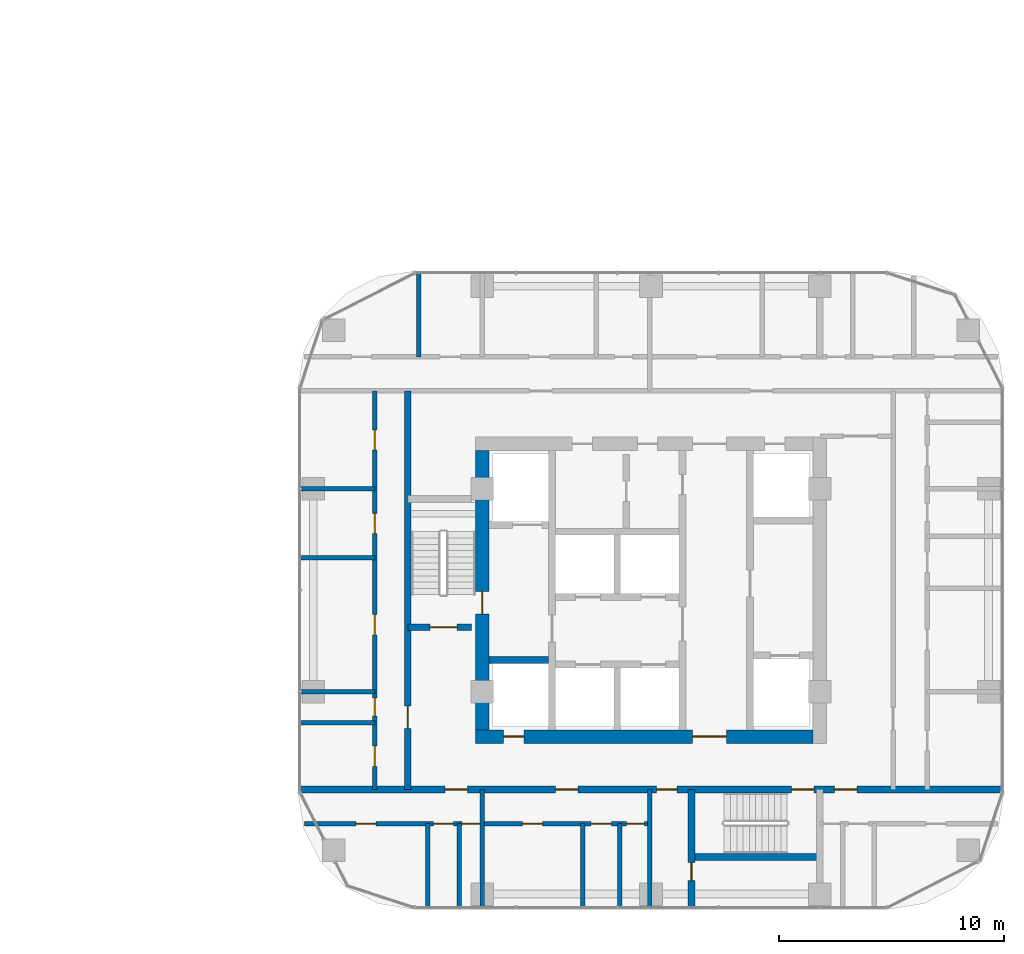
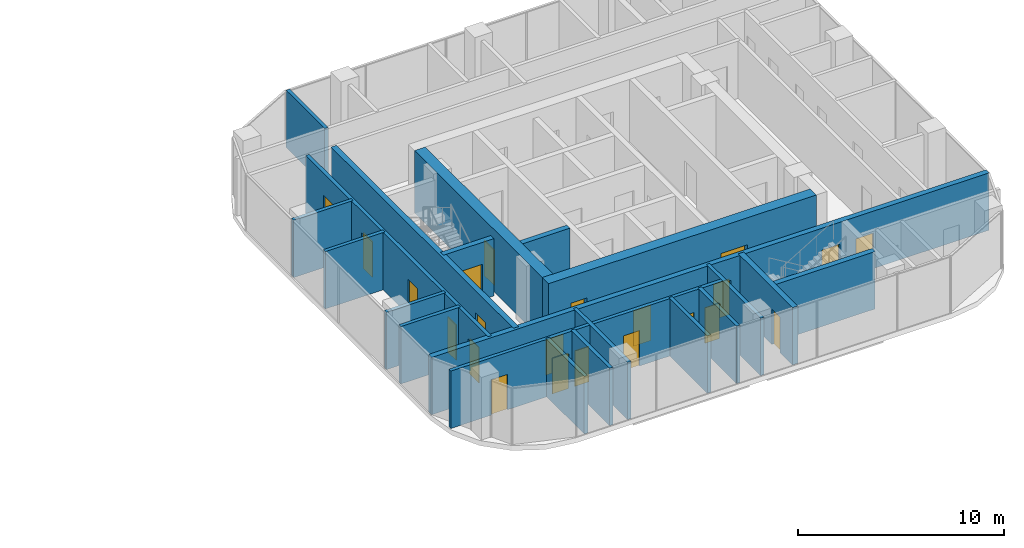
# One storey, part 21 of 31: 22 doors, 21 walls, 22 openings.
"""IFC4 building model written with IfcOpenShell, lengths in metres."""

from ifc_helpers import new_model, si_unit, direction, frame, frame_2d, origin, place, context, subcontext, project, spatial, rectangle, extrude, material, layer, layer_set, type_object, element, fill, save


model = new_model("IFC4")

# Units and contexts
model_context = context("Model", 3, precision=1e-05, world=origin(), true_north=direction((0.0, 1.0)))
body_context = subcontext(model_context, "Body", "Model", "MODEL_VIEW")
ifc_project = project(units=[si_unit("LENGTHUNIT", "METRE"), si_unit("AREAUNIT", "SQUARE_METRE"), si_unit("VOLUMEUNIT", "CUBIC_METRE"), si_unit("PLANEANGLEUNIT", "RADIAN"), si_unit("MASSUNIT", "GRAM", prefix="KILO")], contexts=[model_context])

# Site, building, storey
site_placement = place(None, origin())
site = spatial("IfcSite", under=ifc_project, at=site_placement, CompositionType="ELEMENT")
building_placement = place(site_placement, origin())
building = spatial("IfcBuilding", under=site, at=building_placement, Name="Ogive Portal Towers", CompositionType="ELEMENT")
storey_placement = place(building_placement, frame((0.0, 0.0, 40.89990234375)))
storey = spatial("IfcBuildingStorey", under=building, at=storey_placement, Name="L08", CompositionType="ELEMENT", Elevation=40.89990234375)

# Wall
ifc_material_1 = material(Name="Concrete C60/75", Category="concrete")
ifc_layer_1 = layer(ifc_material_1, 0.300048828125)
ifc_layer_set_1 = layer_set([ifc_layer_1], Name="CORE WALL 300 C60")
wall_type_1 = type_object("IfcWallType", Name="CORE WALL 300 C60", PredefinedType="SHEAR", material=ifc_layer_set_1)
wall_1_placement = place(storey_placement, frame((129.300048828125, 27.89990234375, 0.0), z_axis=(0.0, 0.0, 1.0), x_axis=(1.0, 0.0, 0.0)))
element("IfcWall", 1, at=wall_1_placement, inside=storey, type_object=wall_type_1, Name="Tower B core wall BY4 L08", PredefinedType="SHEAR", context=body_context, shape_type="SweptSolid", body=[
    extrude(rectangle(XDim=2.64990234375, YDim=0.300048828125, at=frame_2d((1.324951171875, 0.0))), origin(), (0.0, 0.0, 1.0), 3.7001953125),
])

# Wall, opening, door
ifc_layer_2 = layer(ifc_material_1, 0.60009765625)
ifc_layer_set_2 = layer_set([ifc_layer_2], Name="CORE WALL 600 C60")
wall_type_2 = type_object("IfcWallType", Name="CORE WALL 600 C60", PredefinedType="SHEAR", material=ifc_layer_set_2)
wall_2_placement = place(storey_placement, frame((129.0, 24.800048828125, 0.0), z_axis=(0.0, 0.0, 1.0), x_axis=(0.0, 1.0, 0.0)))
wall_2 = element("IfcWall", 2, at=wall_2_placement, inside=storey, type_object=wall_type_2, Name="Tower B core wall BW L08", PredefinedType="SHEAR", context=body_context, shape_type="SweptSolid", body=[
    extrude(rectangle(XDim=12.39990234375, YDim=0.60009765625, at=frame_2d((6.199951171875, 0.0))), origin(), (0.0, 0.0, 1.0), 3.7001953125),
])
opening_1_placement = place(wall_2_placement, frame((5.14990234375, 0.0, 0.0)))
opening_1 = element("IfcOpeningElement", 3, at=opening_1_placement, cuts=wall_2, Name="Opening B01-046", PredefinedType="OPENING", context=body_context, shape_type="SweptSolid", body=[
    extrude(rectangle(XDim=1.0, YDim=2.10009765625, at=frame_2d((0.5, 1.050048828125))), frame((0.0, 0.31005859375, 0.0), z_axis=(0.0, -1.0, 0.0), x_axis=(1.0, 0.0, 0.0)), (0.0, 0.0, 1.0), 0.6201171875),
])
ifc_material_2 = material(Name="Steel fire door", Category="steel")
door_type_1 = type_object("IfcDoorType", Name="DT-SWING-1000x2100-FD90S", OperationType="SINGLE_SWING_LEFT", PredefinedType="DOOR", material=ifc_material_2)
door_1_placement = place(opening_1_placement, origin())
door_1 = element("IfcDoor", 4, at=door_1_placement, inside=storey, type_object=door_type_1, Name="Door B01-046", OperationType="SINGLE_SWING_RIGHT", OverallHeight=2.10009765625, OverallWidth=1.0, PredefinedType="DOOR", context=body_context, shape_type="SweptSolid", body=[
    extrude(rectangle(XDim=1.0, YDim=2.10009765625, at=frame_2d((0.5, 1.050048828125))), frame((0.0, 0.02490234375, 0.0), z_axis=(0.0, -1.0, 0.0), x_axis=(1.0, 0.0, 0.0)), (0.0, 0.0, 1.0), 0.050048828125),
])
fill(opening_1, door_1)

# Wall, openings, doors
wall_3_placement = place(storey_placement, frame((128.699951171875, 24.5, 0.0), z_axis=(0.0, 0.0, 1.0), x_axis=(1.0, 0.0, 0.0)))
wall_3 = element("IfcWall", 5, at=wall_3_placement, inside=storey, type_object=wall_type_2, Name="Tower B core wall BS L08", PredefinedType="SHEAR", context=body_context, shape_type="SweptSolid", body=[
    extrude(rectangle(XDim=15.0, YDim=0.60009765625, at=frame_2d((7.5, 0.0))), origin(), (0.0, 0.0, 1.0), 3.7001953125),
])
opening_2_placement = place(wall_3_placement, frame((9.64990234375, 0.0, 0.0)))
opening_2 = element("IfcOpeningElement", 6, at=opening_2_placement, cuts=wall_3, Name="Opening B01-047", PredefinedType="OPENING", context=body_context, shape_type="SweptSolid", body=[
    extrude(rectangle(XDim=1.5, YDim=2.10009765625, at=frame_2d((0.75, 1.050048828125))), frame((0.0, 0.31005859375, 0.0), z_axis=(0.0, -1.0, 0.0), x_axis=(1.0, 0.0, 0.0)), (0.0, 0.0, 1.0), 0.6201171875),
])
opening_3_placement = place(wall_3_placement, frame((1.25, 0.0, 0.0)))
opening_3 = element("IfcOpeningElement", 7, at=opening_3_placement, cuts=wall_3, Name="Opening B01-049", PredefinedType="OPENING", context=body_context, shape_type="SweptSolid", body=[
    extrude(rectangle(XDim=0.89990234375, YDim=2.10009765625, at=frame_2d((0.449951171875, 1.050048828125))), frame((0.0, 0.31005859375, 0.0), z_axis=(0.0, -1.0, 0.0), x_axis=(1.0, 0.0, 0.0)), (0.0, 0.0, 1.0), 0.6201171875),
])
door_type_2 = type_object("IfcDoorType", Name="DT-SWING-1500x2100-FD90S", OperationType="SINGLE_SWING_LEFT", PredefinedType="DOOR", material=ifc_material_2)
door_2_placement = place(opening_2_placement, origin())
door_2 = element("IfcDoor", 8, at=door_2_placement, inside=storey, type_object=door_type_2, Name="Door B01-047", OperationType="SINGLE_SWING_LEFT", OverallHeight=2.10009765625, OverallWidth=1.5, PredefinedType="DOOR", context=body_context, shape_type="SweptSolid", body=[
    extrude(rectangle(XDim=1.5, YDim=2.10009765625, at=frame_2d((0.75, 1.050048828125))), frame((0.0, 0.02490234375, 0.0), z_axis=(0.0, -1.0, 0.0), x_axis=(1.0, 0.0, 0.0)), (0.0, 0.0, 1.0), 0.050048828125),
])
fill(opening_2, door_2)
door_type_3 = type_object("IfcDoorType", Name="DT-SWING-900x2100-FD90S", OperationType="SINGLE_SWING_LEFT", PredefinedType="DOOR", material=ifc_material_2)
door_3_placement = place(opening_3_placement, origin())
door_3 = element("IfcDoor", 9, at=door_3_placement, inside=storey, type_object=door_type_3, Name="Riser access door B01-049", OperationType="SINGLE_SWING_LEFT", OverallHeight=2.10009765625, OverallWidth=0.89990234375, PredefinedType="DOOR", context=body_context, shape_type="SweptSolid", body=[
    extrude(rectangle(XDim=0.89990234375, YDim=2.10009765625, at=frame_2d((0.449951171875, 1.050048828125))), frame((0.0, 0.02490234375, 0.0), z_axis=(0.0, -1.0, 0.0), x_axis=(1.0, 0.0, 0.0)), (0.0, 0.0, 1.0), 0.050048828125),
])
fill(opening_3, door_3)

# Wall
ifc_material_3 = material(Name="Concrete C50/60", Category="concrete")
ifc_layer_3 = layer(ifc_material_3, 0.300048828125)
ifc_layer_set_3 = layer_set([ifc_layer_3], Name="STAIR WALL 300 C50")
wall_type_3 = type_object("IfcWallType", Name="STAIR WALL 300 C50", PredefinedType="SHEAR", material=ifc_layer_set_3)
wall_4_placement = place(storey_placement, frame((138.25, 19.14990234375, 0.0), z_axis=(0.0, 0.0, 1.0), x_axis=(1.0, 0.0, 0.0)))
element("IfcWall", 10, at=wall_4_placement, inside=storey, type_object=wall_type_3, Name="Stair wall ST-B2 L08", PredefinedType="SHEAR", context=body_context, shape_type="SweptSolid", body=[
    extrude(rectangle(XDim=5.75, YDim=0.300048828125, at=frame_2d((2.875, 0.0))), origin(), (0.0, 0.0, 1.0), 3.400146484375),
])

# Wall, openings, doors
wall_5_placement = place(storey_placement, frame((120.889892578125, 22.14990234375, 0.0), z_axis=(0.0, 0.0, 1.0), x_axis=(1.0, 0.0, 0.0)))
wall_5 = element("IfcWall", 11, at=wall_5_placement, inside=storey, type_object=wall_type_3, Name="Stair wall ST-B2 L08", PredefinedType="SHEAR", context=body_context, shape_type="SweptSolid", body=[
    extrude(rectangle(XDim=31.22021484375, YDim=0.300048828125, at=frame_2d((15.610107421875, 0.0))), origin(), (0.0, 0.0, 1.0), 3.400146484375),
])
opening_4_placement = place(wall_5_placement, frame((21.860107421875, 0.0, 0.0)))
opening_4 = element("IfcOpeningElement", 12, at=opening_4_placement, cuts=wall_5, Name="Opening B01-003", PredefinedType="OPENING", context=body_context, shape_type="SweptSolid", body=[
    extrude(rectangle(XDim=1.0, YDim=2.10009765625, at=frame_2d((0.5, 1.050048828125))), frame((0.0, 0.16015625, 0.0), z_axis=(0.0, -1.0, 0.0), x_axis=(1.0, 0.0, 0.0)), (0.0, 0.0, 1.0), 0.320068359375),
])
opening_5_placement = place(wall_5_placement, frame((6.4599609375, 0.0, 0.0)))
opening_5 = element("IfcOpeningElement", 13, at=opening_5_placement, cuts=wall_5, Name="Opening B01-016", PredefinedType="OPENING", context=body_context, shape_type="SweptSolid", body=[
    extrude(rectangle(XDim=1.0, YDim=2.10009765625, at=frame_2d((0.5, 1.050048828125))), frame((0.0, 0.16015625, 0.0), z_axis=(0.0, -1.0, 0.0), x_axis=(1.0, 0.0, 0.0)), (0.0, 0.0, 1.0), 0.320068359375),
])
opening_6_placement = place(wall_5_placement, frame((11.360107421875, 0.0, 0.0)))
opening_6 = element("IfcOpeningElement", 14, at=opening_6_placement, cuts=wall_5, Name="Opening B01-020", PredefinedType="OPENING", context=body_context, shape_type="SweptSolid", body=[
    extrude(rectangle(XDim=1.0, YDim=2.10009765625, at=frame_2d((0.5, 1.050048828125))), frame((0.0, 0.16015625, 0.0), z_axis=(0.0, -1.0, 0.0), x_axis=(1.0, 0.0, 0.0)), (0.0, 0.0, 1.0), 0.320068359375),
])
opening_7_placement = place(wall_5_placement, frame((23.760009765625, 0.0, 0.0)))
opening_7 = element("IfcOpeningElement", 15, at=opening_7_placement, cuts=wall_5, Name="Opening B01-024", PredefinedType="OPENING", context=body_context, shape_type="SweptSolid", body=[
    extrude(rectangle(XDim=1.0, YDim=2.10009765625, at=frame_2d((0.5, 1.050048828125))), frame((0.0, 0.16015625, 0.0), z_axis=(0.0, -1.0, 0.0), x_axis=(1.0, 0.0, 0.0)), (0.0, 0.0, 1.0), 0.320068359375),
])
opening_8_placement = place(wall_5_placement, frame((15.860107421875, 0.0, 0.0)))
opening_8 = element("IfcOpeningElement", 16, at=opening_8_placement, cuts=wall_5, Name="Opening B01-028", PredefinedType="OPENING", context=body_context, shape_type="SweptSolid", body=[
    extrude(rectangle(XDim=0.89990234375, YDim=2.10009765625, at=frame_2d((0.449951171875, 1.050048828125))), frame((0.0, 0.16015625, 0.0), z_axis=(0.0, -1.0, 0.0), x_axis=(1.0, 0.0, 0.0)), (0.0, 0.0, 1.0), 0.320068359375),
])
door_4_placement = place(opening_4_placement, origin())
door_4 = element("IfcDoor", 17, at=door_4_placement, inside=storey, type_object=door_type_1, Name="Door B01-003", OperationType="SINGLE_SWING_LEFT", OverallHeight=2.10009765625, OverallWidth=1.0, PredefinedType="DOOR", context=body_context, shape_type="SweptSolid", body=[
    extrude(rectangle(XDim=1.0, YDim=2.10009765625, at=frame_2d((0.5, 1.050048828125))), frame((0.0, 0.02490234375, 0.0), z_axis=(0.0, -1.0, 0.0), x_axis=(1.0, 0.0, 0.0)), (0.0, 0.0, 1.0), 0.050048828125),
])
fill(opening_4, door_4)
door_5_placement = place(opening_5_placement, origin())
door_5 = element("IfcDoor", 18, at=door_5_placement, inside=storey, type_object=door_type_1, Name="Door B01-016", OperationType="SINGLE_SWING_RIGHT", OverallHeight=2.10009765625, OverallWidth=1.0, PredefinedType="DOOR", context=body_context, shape_type="SweptSolid", body=[
    extrude(rectangle(XDim=1.0, YDim=2.10009765625, at=frame_2d((0.5, 1.050048828125))), frame((0.0, 0.02490234375, 0.0), z_axis=(0.0, -1.0, 0.0), x_axis=(1.0, 0.0, 0.0)), (0.0, 0.0, 1.0), 0.050048828125),
])
fill(opening_5, door_5)
door_6_placement = place(opening_6_placement, origin())
door_6 = element("IfcDoor", 19, at=door_6_placement, inside=storey, type_object=door_type_1, Name="Door B01-020", OperationType="SINGLE_SWING_RIGHT", OverallHeight=2.10009765625, OverallWidth=1.0, PredefinedType="DOOR", context=body_context, shape_type="SweptSolid", body=[
    extrude(rectangle(XDim=1.0, YDim=2.10009765625, at=frame_2d((0.5, 1.050048828125))), frame((0.0, 0.02490234375, 0.0), z_axis=(0.0, -1.0, 0.0), x_axis=(1.0, 0.0, 0.0)), (0.0, 0.0, 1.0), 0.050048828125),
])
fill(opening_6, door_6)
door_7_placement = place(opening_7_placement, origin())
door_7 = element("IfcDoor", 20, at=door_7_placement, inside=storey, type_object=door_type_1, Name="Door B01-024", OperationType="SINGLE_SWING_RIGHT", OverallHeight=2.10009765625, OverallWidth=1.0, PredefinedType="DOOR", context=body_context, shape_type="SweptSolid", body=[
    extrude(rectangle(XDim=1.0, YDim=2.10009765625, at=frame_2d((0.5, 1.050048828125))), frame((0.0, 0.02490234375, 0.0), z_axis=(0.0, -1.0, 0.0), x_axis=(1.0, 0.0, 0.0)), (0.0, 0.0, 1.0), 0.050048828125),
])
fill(opening_7, door_7)
door_8_placement = place(opening_8_placement, origin())
door_8 = element("IfcDoor", 21, at=door_8_placement, inside=storey, type_object=door_type_3, Name="Door B01-028", OperationType="SINGLE_SWING_RIGHT", OverallHeight=2.10009765625, OverallWidth=0.89990234375, PredefinedType="DOOR", context=body_context, shape_type="SweptSolid", body=[
    extrude(rectangle(XDim=0.89990234375, YDim=2.10009765625, at=frame_2d((0.449951171875, 1.050048828125))), frame((0.0, 0.02490234375, 0.0), z_axis=(0.0, -1.0, 0.0), x_axis=(1.0, 0.0, 0.0)), (0.0, 0.0, 1.0), 0.050048828125),
])
fill(opening_8, door_8)

# Wall, opening, door
wall_6_placement = place(storey_placement, frame((125.699951171875, 29.35009765625, 0.0), z_axis=(0.0, 0.0, 1.0), x_axis=(1.0, 0.0, 0.0)))
wall_6 = element("IfcWall", 22, at=wall_6_placement, inside=storey, type_object=wall_type_3, Name="Stair wall ST-B1 L08", PredefinedType="SHEAR", context=body_context, shape_type="SweptSolid", body=[
    extrude(rectangle(XDim=2.830078125, YDim=0.300048828125, at=frame_2d((1.4150390625, 0.0))), origin(), (0.0, 0.0, 1.0), 3.400146484375),
])
opening_9_placement = place(wall_6_placement, frame((0.97509765625, 0.0, 0.0)))
opening_9 = element("IfcOpeningElement", 23, at=opening_9_placement, cuts=wall_6, Name="Opening B01-002", PredefinedType="OPENING", context=body_context, shape_type="SweptSolid", body=[
    extrude(rectangle(XDim=1.199951171875, YDim=2.10009765625, at=frame_2d((0.60009765625, 1.050048828125))), frame((0.0, 0.16015625, 0.0), z_axis=(0.0, -1.0, 0.0), x_axis=(1.0, 0.0, 0.0)), (0.0, 0.0, 1.0), 0.320068359375),
])
door_type_4 = type_object("IfcDoorType", Name="DT-SWING-1200x2100-FD90S", OperationType="SINGLE_SWING_LEFT", PredefinedType="DOOR", material=ifc_material_2)
door_9_placement = place(opening_9_placement, origin())
door_9 = element("IfcDoor", 24, at=door_9_placement, inside=storey, type_object=door_type_4, Name="Door B01-002", OperationType="SINGLE_SWING_RIGHT", OverallHeight=2.10009765625, OverallWidth=1.199951171875, PredefinedType="DOOR", context=body_context, shape_type="SweptSolid", body=[
    extrude(rectangle(XDim=1.199951171875, YDim=2.10009765625, at=frame_2d((0.60009765625, 1.050048828125))), frame((0.0, 0.02490234375, 0.0), z_axis=(0.0, -1.0, 0.0), x_axis=(1.0, 0.0, 0.0)), (0.0, 0.0, 1.0), 0.050048828125),
])
fill(opening_9, door_9)

wall_7_placement = place(storey_placement, frame((125.699951171875, 22.14990234375, 0.0), z_axis=(0.0, 0.0, 1.0), x_axis=(0.0, 1.0, 0.0)))
wall_7 = element("IfcWall", 25, at=wall_7_placement, inside=storey, type_object=wall_type_3, Name="Stair wall ST-B1 L08", PredefinedType="SHEAR", context=body_context, shape_type="SweptSolid", body=[
    extrude(rectangle(XDim=17.7001953125, YDim=0.300048828125, at=frame_2d((8.85009765625, 0.0))), origin(), (0.0, 0.0, 1.0), 3.400146484375),
])
opening_10_placement = place(wall_7_placement, frame((2.699951171875, 0.0, 0.0)))
opening_10 = element("IfcOpeningElement", 26, at=opening_10_placement, cuts=wall_7, Name="Opening B01-030", PredefinedType="OPENING", context=body_context, shape_type="SweptSolid", body=[
    extrude(rectangle(XDim=1.0, YDim=2.10009765625, at=frame_2d((0.5, 1.050048828125))), frame((0.0, 0.16015625, 0.0), z_axis=(0.0, -1.0, 0.0), x_axis=(1.0, 0.0, 0.0)), (0.0, 0.0, 1.0), 0.320068359375),
])
door_10_placement = place(opening_10_placement, origin())
door_10 = element("IfcDoor", 27, at=door_10_placement, inside=storey, type_object=door_type_1, Name="Door B01-030", OperationType="SINGLE_SWING_RIGHT", OverallHeight=2.10009765625, OverallWidth=1.0, PredefinedType="DOOR", context=body_context, shape_type="SweptSolid", body=[
    extrude(rectangle(XDim=1.0, YDim=2.10009765625, at=frame_2d((0.5, 1.050048828125))), frame((0.0, 0.02490234375, 0.0), z_axis=(0.0, -1.0, 0.0), x_axis=(1.0, 0.0, 0.0)), (0.0, 0.0, 1.0), 0.050048828125),
])
fill(opening_10, door_10)

wall_8_placement = place(storey_placement, frame((138.300048828125, 16.889892578125, 0.0), z_axis=(0.0, 0.0, 1.0), x_axis=(0.0, 1.0, 0.0)))
wall_8 = element("IfcWall", 28, at=wall_8_placement, inside=storey, type_object=wall_type_3, Name="Stair wall ST-B2 L08", PredefinedType="SHEAR", context=body_context, shape_type="SweptSolid", body=[
    extrude(rectangle(XDim=5.260009765625, YDim=0.300048828125, at=frame_2d((2.6298828125, 0.0))), origin(), (0.0, 0.0, 1.0), 3.400146484375),
])
opening_11_placement = place(wall_8_placement, frame((1.2099609375, 0.0, 0.0)))
opening_11 = element("IfcOpeningElement", 29, at=opening_11_placement, cuts=wall_8, Name="Opening B01-029", PredefinedType="OPENING", context=body_context, shape_type="SweptSolid", body=[
    extrude(rectangle(XDim=0.800048828125, YDim=2.10009765625, at=frame_2d((0.39990234375, 1.050048828125))), frame((0.0, 0.16015625, 0.0), z_axis=(0.0, -1.0, 0.0), x_axis=(1.0, 0.0, 0.0)), (0.0, 0.0, 1.0), 0.320068359375),
])
door_type_5 = type_object("IfcDoorType", Name="DT-SWING-800x2100-FD90S", OperationType="SINGLE_SWING_LEFT", PredefinedType="DOOR", material=ifc_material_2)
door_11_placement = place(opening_11_placement, origin())
door_11 = element("IfcDoor", 30, at=door_11_placement, inside=storey, type_object=door_type_5, Name="Door B01-029", OperationType="SINGLE_SWING_LEFT", OverallHeight=2.10009765625, OverallWidth=0.800048828125, PredefinedType="DOOR", context=body_context, shape_type="SweptSolid", body=[
    extrude(rectangle(XDim=0.800048828125, YDim=2.10009765625, at=frame_2d((0.39990234375, 1.050048828125))), frame((0.0, 0.02490234375, 0.0), z_axis=(0.0, -1.0, 0.0), x_axis=(1.0, 0.0, 0.0)), (0.0, 0.0, 1.0), 0.050048828125),
])
fill(opening_11, door_11)

# Wall, openings, doors
ifc_material_4 = material(Name="Gypsum board partition on steel studs", Category="steel")
ifc_layer_4 = layer(ifc_material_4, 0.199951171875)
ifc_layer_set_4 = layer_set([ifc_layer_4], Name="WT-PART-200-EI 60")
wall_type_4 = type_object("IfcWallType", Name="WT-PART-200-EI 60", PredefinedType="PARTITIONING", material=ifc_layer_set_4)
wall_9_placement = place(storey_placement, frame((121.10791015625, 20.6298828125, 0.0), z_axis=(0.0, 0.0, 1.0), x_axis=(1.0, 0.0, 0.0)))
wall_9 = element("IfcWall", 31, at=wall_9_placement, inside=storey, type_object=wall_type_4, Name="Wall L08:w002", PredefinedType="PARTITIONING", context=body_context, shape_type="SweptSolid", body=[
    extrude(rectangle(XDim=15.39208984375, YDim=0.199951171875, at=frame_2d((7.696044921875, 0.0))), origin(), (0.0, 0.0, 1.0), 3.400146484375),
])
opening_12_placement = place(wall_9_placement, frame((2.283935546875, 0.0, 0.0)))
opening_12 = element("IfcOpeningElement", 32, at=opening_12_placement, cuts=wall_9, Name="Opening B01-017", PredefinedType="OPENING", context=body_context, shape_type="SweptSolid", body=[
    extrude(rectangle(XDim=0.89990234375, YDim=2.10009765625, at=frame_2d((0.449951171875, 1.050048828125))), frame((0.0, 0.10986328125, 0.0), z_axis=(0.0, -1.0, 0.0), x_axis=(1.0, 0.0, 0.0)), (0.0, 0.0, 1.0), 0.219970703125),
])
opening_13_placement = place(wall_9_placement, frame((5.72705078125, 0.0, 0.0)))
opening_13 = element("IfcOpeningElement", 33, at=opening_13_placement, cuts=wall_9, Name="Opening B01-018", PredefinedType="OPENING", context=body_context, shape_type="SweptSolid", body=[
    extrude(rectangle(XDim=0.89990234375, YDim=2.10009765625, at=frame_2d((0.449951171875, 1.050048828125))), frame((0.0, 0.10986328125, 0.0), z_axis=(0.0, -1.0, 0.0), x_axis=(1.0, 0.0, 0.0)), (0.0, 0.0, 1.0), 0.219970703125),
])
opening_14_placement = place(wall_9_placement, frame((6.988037109375, 0.0, 0.0)))
opening_14 = element("IfcOpeningElement", 34, at=opening_14_placement, cuts=wall_9, Name="Opening B01-019", PredefinedType="OPENING", context=body_context, shape_type="SweptSolid", body=[
    extrude(rectangle(XDim=0.800048828125, YDim=2.10009765625, at=frame_2d((0.39990234375, 1.050048828125))), frame((0.0, 0.10986328125, 0.0), z_axis=(0.0, -1.0, 0.0), x_axis=(1.0, 0.0, 0.0)), (0.0, 0.0, 1.0), 0.219970703125),
])
opening_15_placement = place(wall_9_placement, frame((9.679931640625, 0.0, 0.0)))
opening_15 = element("IfcOpeningElement", 35, at=opening_15_placement, cuts=wall_9, Name="Opening B01-021", PredefinedType="OPENING", context=body_context, shape_type="SweptSolid", body=[
    extrude(rectangle(XDim=0.89990234375, YDim=2.10009765625, at=frame_2d((0.449951171875, 1.050048828125))), frame((0.0, 0.10986328125, 0.0), z_axis=(0.0, -1.0, 0.0), x_axis=(1.0, 0.0, 0.0)), (0.0, 0.0, 1.0), 0.219970703125),
])
opening_16_placement = place(wall_9_placement, frame((12.73291015625, 0.0, 0.0)))
opening_16 = element("IfcOpeningElement", 36, at=opening_16_placement, cuts=wall_9, Name="Opening B01-022", PredefinedType="OPENING", context=body_context, shape_type="SweptSolid", body=[
    extrude(rectangle(XDim=0.89990234375, YDim=2.10009765625, at=frame_2d((0.449951171875, 1.050048828125))), frame((0.0, 0.10986328125, 0.0), z_axis=(0.0, -1.0, 0.0), x_axis=(1.0, 0.0, 0.0)), (0.0, 0.0, 1.0), 0.219970703125),
])
opening_17_placement = place(wall_9_placement, frame((14.294921875, 0.0, 0.0)))
opening_17 = element("IfcOpeningElement", 37, at=opening_17_placement, cuts=wall_9, Name="Opening B01-023", PredefinedType="OPENING", context=body_context, shape_type="SweptSolid", body=[
    extrude(rectangle(XDim=0.800048828125, YDim=2.10009765625, at=frame_2d((0.39990234375, 1.050048828125))), frame((0.0, 0.10986328125, 0.0), z_axis=(0.0, -1.0, 0.0), x_axis=(1.0, 0.0, 0.0)), (0.0, 0.0, 1.0), 0.219970703125),
])
door_type_6 = type_object("IfcDoorType", Name="DT-SWING-800x2100-FD60S", OperationType="SINGLE_SWING_LEFT", PredefinedType="DOOR", material=ifc_material_2)
door_12_placement = place(opening_14_placement, origin())
door_12 = element("IfcDoor", 38, at=door_12_placement, inside=storey, type_object=door_type_6, Name="Door B01-019", OperationType="SINGLE_SWING_LEFT", OverallHeight=2.10009765625, OverallWidth=0.800048828125, PredefinedType="DOOR", context=body_context, shape_type="SweptSolid", body=[
    extrude(rectangle(XDim=0.800048828125, YDim=2.10009765625, at=frame_2d((0.39990234375, 1.050048828125))), frame((0.0, 0.02490234375, 0.0), z_axis=(0.0, -1.0, 0.0), x_axis=(1.0, 0.0, 0.0)), (0.0, 0.0, 1.0), 0.050048828125),
])
fill(opening_14, door_12)
door_13_placement = place(opening_17_placement, origin())
door_13 = element("IfcDoor", 39, at=door_13_placement, inside=storey, type_object=door_type_6, Name="Door B01-023", OperationType="SINGLE_SWING_LEFT", OverallHeight=2.10009765625, OverallWidth=0.800048828125, PredefinedType="DOOR", context=body_context, shape_type="SweptSolid", body=[
    extrude(rectangle(XDim=0.800048828125, YDim=2.10009765625, at=frame_2d((0.39990234375, 1.050048828125))), frame((0.0, 0.02490234375, 0.0), z_axis=(0.0, -1.0, 0.0), x_axis=(1.0, 0.0, 0.0)), (0.0, 0.0, 1.0), 0.050048828125),
])
fill(opening_17, door_13)
door_type_7 = type_object("IfcDoorType", Name="DT-SWING-900x2100-FD60S", OperationType="SINGLE_SWING_LEFT", PredefinedType="DOOR", material=ifc_material_2)
door_14_placement = place(opening_12_placement, origin())
door_14 = element("IfcDoor", 40, at=door_14_placement, inside=storey, type_object=door_type_7, Name="Door B01-017", OperationType="SINGLE_SWING_LEFT", OverallHeight=2.10009765625, OverallWidth=0.89990234375, PredefinedType="DOOR", context=body_context, shape_type="SweptSolid", body=[
    extrude(rectangle(XDim=0.89990234375, YDim=2.10009765625, at=frame_2d((0.449951171875, 1.050048828125))), frame((0.0, 0.02490234375, 0.0), z_axis=(0.0, -1.0, 0.0), x_axis=(1.0, 0.0, 0.0)), (0.0, 0.0, 1.0), 0.050048828125),
])
fill(opening_12, door_14)
door_15_placement = place(opening_13_placement, origin())
door_15 = element("IfcDoor", 41, at=door_15_placement, inside=storey, type_object=door_type_7, Name="Door B01-018", OperationType="SINGLE_SWING_RIGHT", OverallHeight=2.10009765625, OverallWidth=0.89990234375, PredefinedType="DOOR", context=body_context, shape_type="SweptSolid", body=[
    extrude(rectangle(XDim=0.89990234375, YDim=2.10009765625, at=frame_2d((0.449951171875, 1.050048828125))), frame((0.0, 0.02490234375, 0.0), z_axis=(0.0, -1.0, 0.0), x_axis=(1.0, 0.0, 0.0)), (0.0, 0.0, 1.0), 0.050048828125),
])
fill(opening_13, door_15)
door_16_placement = place(opening_15_placement, origin())
door_16 = element("IfcDoor", 42, at=door_16_placement, inside=storey, type_object=door_type_7, Name="Door B01-021", OperationType="SINGLE_SWING_LEFT", OverallHeight=2.10009765625, OverallWidth=0.89990234375, PredefinedType="DOOR", context=body_context, shape_type="SweptSolid", body=[
    extrude(rectangle(XDim=0.89990234375, YDim=2.10009765625, at=frame_2d((0.449951171875, 1.050048828125))), frame((0.0, 0.02490234375, 0.0), z_axis=(0.0, -1.0, 0.0), x_axis=(1.0, 0.0, 0.0)), (0.0, 0.0, 1.0), 0.050048828125),
])
fill(opening_15, door_16)
door_17_placement = place(opening_16_placement, origin())
door_17 = element("IfcDoor", 43, at=door_17_placement, inside=storey, type_object=door_type_7, Name="Door B01-022", OperationType="SINGLE_SWING_RIGHT", OverallHeight=2.10009765625, OverallWidth=0.89990234375, PredefinedType="DOOR", context=body_context, shape_type="SweptSolid", body=[
    extrude(rectangle(XDim=0.89990234375, YDim=2.10009765625, at=frame_2d((0.449951171875, 1.050048828125))), frame((0.0, 0.02490234375, 0.0), z_axis=(0.0, -1.0, 0.0), x_axis=(1.0, 0.0, 0.0)), (0.0, 0.0, 1.0), 0.050048828125),
])
fill(opening_16, door_17)

# Walls
for number, where, z_axis, x_axis, name in (
    (44, (120.889892578125, 25.10595703125, 0.0), (0.0, 0.0, 1.0), (1.0, 0.0, 0.0), "Wall L08:w007"),
    (45, (120.889892578125, 26.5, 0.0), (0.0, 0.0, 1.0), (1.0, 0.0, 0.0), "Wall L08:w008"),
    (46, (120.889892578125, 32.43310546875, 0.0), (0.0, 0.0, 1.0), (1.0, 0.0, 0.0), "Wall L08:w012"),
    (47, (120.889892578125, 35.5, 0.0), (0.0, 0.0, 1.0), (1.0, 0.0, 0.0), "Wall L08:w015"),
):
    element("IfcWall", number, at=place(storey_placement, frame(where, z_axis=z_axis, x_axis=x_axis)), inside=storey, type_object=wall_type_4, Name=name, PredefinedType="PARTITIONING", context=body_context, shape_type="SweptSolid", body=[
        extrude(rectangle(XDim=3.340087890625, YDim=0.199951171875, at=frame_2d((1.669921875, 0.0))), origin(), (0.0, 0.0, 1.0), 3.400146484375),
    ])

# Wall, openings, doors
wall_10_placement = place(storey_placement, frame((124.22998046875, 22.14990234375, 0.0), z_axis=(0.0, 0.0, 1.0), x_axis=(0.0, 1.0, 0.0)))
wall_10 = element("IfcWall", 48, at=wall_10_placement, inside=storey, type_object=wall_type_4, Name="Wall L08:w022", PredefinedType="PARTITIONING", context=body_context, shape_type="SweptSolid", body=[
    extrude(rectangle(XDim=17.7001953125, YDim=0.199951171875, at=frame_2d((8.85009765625, 0.0))), origin(), (0.0, 0.0, 1.0), 3.400146484375),
])
opening_18_placement = place(wall_10_placement, frame((1.028076171875, 0.0, 0.0)))
opening_18 = element("IfcOpeningElement", 49, at=opening_18_placement, cuts=wall_10, Name="Opening B01-031", PredefinedType="OPENING", context=body_context, shape_type="SweptSolid", body=[
    extrude(rectangle(XDim=0.89990234375, YDim=2.10009765625, at=frame_2d((0.449951171875, 1.050048828125))), frame((0.0, 0.10986328125, 0.0), z_axis=(0.0, -1.0, 0.0), x_axis=(1.0, 0.0, 0.0)), (0.0, 0.0, 1.0), 0.219970703125),
])
opening_19_placement = place(wall_10_placement, frame((3.2529296875, 0.0, 0.0)))
opening_19 = element("IfcOpeningElement", 50, at=opening_19_placement, cuts=wall_10, Name="Opening B01-032", PredefinedType="OPENING", context=body_context, shape_type="SweptSolid", body=[
    extrude(rectangle(XDim=0.800048828125, YDim=2.10009765625, at=frame_2d((0.39990234375, 1.050048828125))), frame((0.0, 0.10986328125, 0.0), z_axis=(0.0, -1.0, 0.0), x_axis=(1.0, 0.0, 0.0)), (0.0, 0.0, 1.0), 0.219970703125),
])
opening_20_placement = place(wall_10_placement, frame((6.866943359375, 0.0, 0.0)))
opening_20 = element("IfcOpeningElement", 51, at=opening_20_placement, cuts=wall_10, Name="Opening B01-033", PredefinedType="OPENING", context=body_context, shape_type="SweptSolid", body=[
    extrude(rectangle(XDim=0.89990234375, YDim=2.10009765625, at=frame_2d((0.449951171875, 1.050048828125))), frame((0.0, 0.10986328125, 0.0), z_axis=(0.0, -1.0, 0.0), x_axis=(1.0, 0.0, 0.0)), (0.0, 0.0, 1.0), 0.219970703125),
])
opening_21_placement = place(wall_10_placement, frame((11.366943359375, 0.0, 0.0)))
opening_21 = element("IfcOpeningElement", 52, at=opening_21_placement, cuts=wall_10, Name="Opening B01-034", PredefinedType="OPENING", context=body_context, shape_type="SweptSolid", body=[
    extrude(rectangle(XDim=0.89990234375, YDim=2.10009765625, at=frame_2d((0.449951171875, 1.050048828125))), frame((0.0, 0.10986328125, 0.0), z_axis=(0.0, -1.0, 0.0), x_axis=(1.0, 0.0, 0.0)), (0.0, 0.0, 1.0), 0.219970703125),
])
opening_22_placement = place(wall_10_placement, frame((15.074951171875, 0.0, 0.0)))
opening_22 = element("IfcOpeningElement", 53, at=opening_22_placement, cuts=wall_10, Name="Opening B01-035", PredefinedType="OPENING", context=body_context, shape_type="SweptSolid", body=[
    extrude(rectangle(XDim=0.89990234375, YDim=2.10009765625, at=frame_2d((0.449951171875, 1.050048828125))), frame((0.0, 0.10986328125, 0.0), z_axis=(0.0, -1.0, 0.0), x_axis=(1.0, 0.0, 0.0)), (0.0, 0.0, 1.0), 0.219970703125),
])
door_18_placement = place(opening_19_placement, origin())
door_18 = element("IfcDoor", 54, at=door_18_placement, inside=storey, type_object=door_type_6, Name="Door B01-032", OperationType="SINGLE_SWING_RIGHT", OverallHeight=2.10009765625, OverallWidth=0.800048828125, PredefinedType="DOOR", context=body_context, shape_type="SweptSolid", body=[
    extrude(rectangle(XDim=0.800048828125, YDim=2.10009765625, at=frame_2d((0.39990234375, 1.050048828125))), frame((0.0, 0.02490234375, 0.0), z_axis=(0.0, -1.0, 0.0), x_axis=(1.0, 0.0, 0.0)), (0.0, 0.0, 1.0), 0.050048828125),
])
fill(opening_19, door_18)
door_19_placement = place(opening_18_placement, origin())
door_19 = element("IfcDoor", 55, at=door_19_placement, inside=storey, type_object=door_type_7, Name="Door B01-031", OperationType="SINGLE_SWING_LEFT", OverallHeight=2.10009765625, OverallWidth=0.89990234375, PredefinedType="DOOR", context=body_context, shape_type="SweptSolid", body=[
    extrude(rectangle(XDim=0.89990234375, YDim=2.10009765625, at=frame_2d((0.449951171875, 1.050048828125))), frame((0.0, 0.02490234375, 0.0), z_axis=(0.0, -1.0, 0.0), x_axis=(1.0, 0.0, 0.0)), (0.0, 0.0, 1.0), 0.050048828125),
])
fill(opening_18, door_19)
door_20_placement = place(opening_20_placement, origin())
door_20 = element("IfcDoor", 56, at=door_20_placement, inside=storey, type_object=door_type_7, Name="Door B01-033", OperationType="SINGLE_SWING_LEFT", OverallHeight=2.10009765625, OverallWidth=0.89990234375, PredefinedType="DOOR", context=body_context, shape_type="SweptSolid", body=[
    extrude(rectangle(XDim=0.89990234375, YDim=2.10009765625, at=frame_2d((0.449951171875, 1.050048828125))), frame((0.0, 0.02490234375, 0.0), z_axis=(0.0, -1.0, 0.0), x_axis=(1.0, 0.0, 0.0)), (0.0, 0.0, 1.0), 0.050048828125),
])
fill(opening_20, door_20)
door_21_placement = place(opening_21_placement, origin())
door_21 = element("IfcDoor", 57, at=door_21_placement, inside=storey, type_object=door_type_7, Name="Door B01-034", OperationType="SINGLE_SWING_RIGHT", OverallHeight=2.10009765625, OverallWidth=0.89990234375, PredefinedType="DOOR", context=body_context, shape_type="SweptSolid", body=[
    extrude(rectangle(XDim=0.89990234375, YDim=2.10009765625, at=frame_2d((0.449951171875, 1.050048828125))), frame((0.0, 0.02490234375, 0.0), z_axis=(0.0, -1.0, 0.0), x_axis=(1.0, 0.0, 0.0)), (0.0, 0.0, 1.0), 0.050048828125),
])
fill(opening_21, door_21)
door_22_placement = place(opening_22_placement, origin())
door_22 = element("IfcDoor", 58, at=door_22_placement, inside=storey, type_object=door_type_7, Name="Door B01-035", OperationType="SINGLE_SWING_LEFT", OverallHeight=2.10009765625, OverallWidth=0.89990234375, PredefinedType="DOOR", context=body_context, shape_type="SweptSolid", body=[
    extrude(rectangle(XDim=0.89990234375, YDim=2.10009765625, at=frame_2d((0.449951171875, 1.050048828125))), frame((0.0, 0.02490234375, 0.0), z_axis=(0.0, -1.0, 0.0), x_axis=(1.0, 0.0, 0.0)), (0.0, 0.0, 1.0), 0.050048828125),
])
fill(opening_22, door_22)

# Walls
for number, where, z_axis, x_axis, name in (
    (59, (126.173095703125, 41.3701171875, 0.0), (0.0, 0.0, 1.0), (0.0, 1.0, 0.0), "Wall L08:w024"),
    (60, (126.5791015625, 16.889892578125, 0.0), (0.0, 0.0, 1.0), (0.0, 1.0, 0.0), "Wall L08:w025"),
    (61, (127.990966796875, 16.889892578125, 0.0), (0.0, 0.0, 1.0), (0.0, 1.0, 0.0), "Wall L08:w026"),
):
    element("IfcWall", number, at=place(storey_placement, frame(where, z_axis=z_axis, x_axis=x_axis)), inside=storey, type_object=wall_type_4, Name=name, PredefinedType="PARTITIONING", context=body_context, shape_type="SweptSolid", body=[
        extrude(rectangle(XDim=3.739990234375, YDim=0.199951171875, at=frame_2d((1.8701171875, 0.0))), origin(), (0.0, 0.0, 1.0), 3.400146484375),
    ])
wall_11_placement = place(storey_placement, frame((129.0, 16.889892578125, 0.0), z_axis=(0.0, 0.0, 1.0), x_axis=(0.0, 1.0, 0.0)))
element("IfcWall", 62, at=wall_11_placement, inside=storey, type_object=wall_type_4, Name="Wall L08:w029", PredefinedType="PARTITIONING", context=body_context, shape_type="SweptSolid", body=[
    extrude(rectangle(XDim=5.260009765625, YDim=0.199951171875, at=frame_2d((2.6298828125, 0.0))), origin(), (0.0, 0.0, 1.0), 3.400146484375),
])
for number, where, z_axis, x_axis, name in (
    (63, (133.47509765625, 16.889892578125, 0.0), (0.0, 0.0, 1.0), (0.0, 1.0, 0.0), "Wall L08:w031"),
    (64, (135.10693359375, 16.889892578125, 0.0), (0.0, 0.0, 1.0), (0.0, 1.0, 0.0), "Wall L08:w033"),
):
    element("IfcWall", number, at=place(storey_placement, frame(where, z_axis=z_axis, x_axis=x_axis)), inside=storey, type_object=wall_type_4, Name=name, PredefinedType="PARTITIONING", context=body_context, shape_type="SweptSolid", body=[
        extrude(rectangle(XDim=3.739990234375, YDim=0.199951171875, at=frame_2d((1.8701171875, 0.0))), origin(), (0.0, 0.0, 1.0), 3.400146484375),
    ])
wall_12_placement = place(storey_placement, frame((136.449951171875, 16.889892578125, 0.0), z_axis=(0.0, 0.0, 1.0), x_axis=(0.0, 1.0, 0.0)))
element("IfcWall", 65, at=wall_12_placement, inside=storey, type_object=wall_type_4, Name="Wall L08:w035", PredefinedType="PARTITIONING", context=body_context, shape_type="SweptSolid", body=[
    extrude(rectangle(XDim=5.260009765625, YDim=0.199951171875, at=frame_2d((2.6298828125, 0.0))), origin(), (0.0, 0.0, 1.0), 3.400146484375),
])

save(model, "model.ifc")
